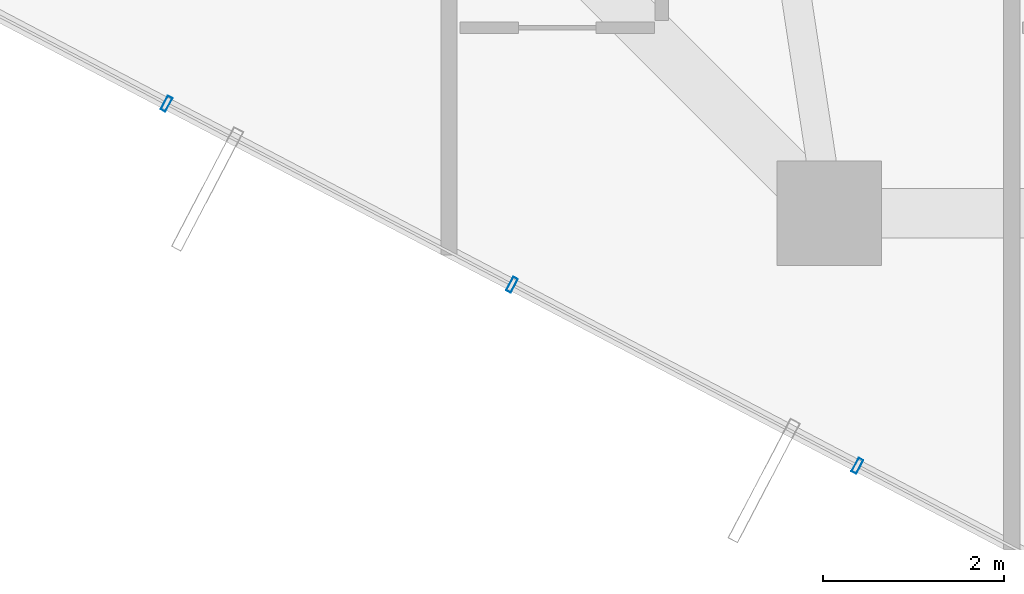
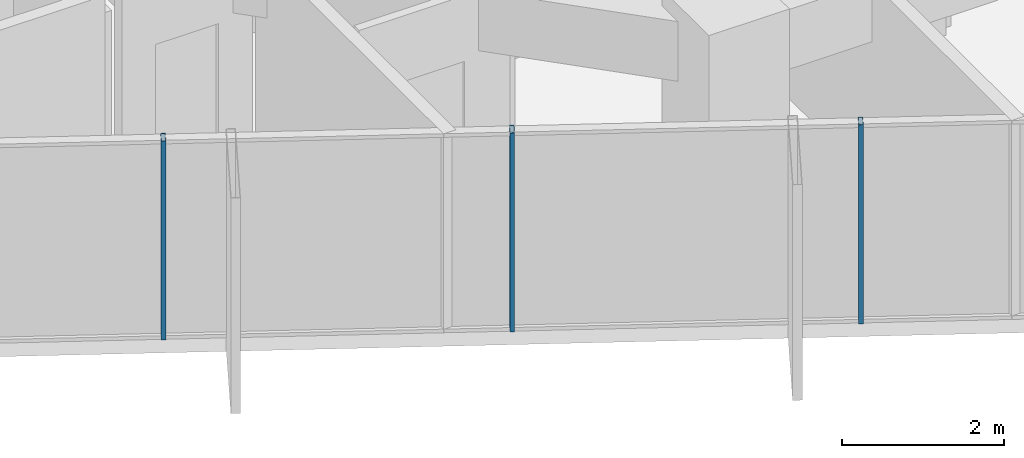
# One storey, part 2 of 32: 3 members, 1 element without a shape of its own.
"""IFC4 building model written with IfcOpenShell, lengths in metres."""

import ifcopenshell
import ifcopenshell.guid

model = None  # the IFC model being written
_history = None  # IfcOwnerHistory: only IFC2X3 demands one
_inside = {}  # id of a spatial element -> (the spatial element, [elements in it])
_under = {}  # id of a project, library or spatial element -> (it, [spatial elements below it])
_declared = {}  # id of a project -> (the project, [libraries it declares])
_typed = {}  # id of a type object -> (the type object, [elements of that type])
_made_of = {}  # id of a material, layer set ... -> (it, [elements and type objects made of it])


def new_model(schema):
    """Start an empty IFC model of exactly this schema.

    Asked for "IFC4X3", IfcOpenShell would pick the latest addendum, in which some entities
    have other attributes; the version numbers below select the first issue.
    IFC2X3 requires an IfcOwnerHistory on every rooted entity: one is made here for all.
    """
    global model, _history
    if schema == "IFC4X3":
        model = ifcopenshell.file(schema_version=(4, 3, 0, 0))
    else:
        model = ifcopenshell.file(schema=schema)
    _inside.clear()
    _under.clear()
    _declared.clear()
    _typed.clear()
    _made_of.clear()
    _history = None
    if model.schema == "IFC2X3":
        org = make("IfcOrganization", Name="unknown")
        user = make(
            "IfcPersonAndOrganization",
            ThePerson=make("IfcPerson", FamilyName="unknown"),
            TheOrganization=org,
        )
        app = make(
            "IfcApplication",
            ApplicationDeveloper=org,
            Version="unknown",
            ApplicationFullName="unknown",
            ApplicationIdentifier="unknown",
        )
        _history = make(
            "IfcOwnerHistory",
            OwningUser=user,
            OwningApplication=app,
            ChangeAction="ADDED",
            CreationDate=0,
        )
    return model


def make(cls, **values):
    """One entity of the class cls with the attributes given. An attribute that is None is left unset."""
    return model.create_entity(
        cls, **{name: value for name, value in values.items() if value is not None}
    )


def rooted(cls, **values):
    """An entity with a GlobalId (a new one), such as an element, a storey or a relation."""
    return make(cls, GlobalId=ifcopenshell.guid.new(), OwnerHistory=_history, **values)


def si_unit(unit_type, name, prefix=None):
    """IfcSIUnit, for example si_unit("LENGTHUNIT", "METRE", prefix="MILLI")."""
    return make("IfcSIUnit", UnitType=unit_type, Prefix=prefix, Name=name)


def assignment(units):
    """IfcUnitAssignment: the units of a project."""
    return None if units is None else make("IfcUnitAssignment", Units=units)


def point(xyz):
    """IfcCartesianPoint."""
    return None if xyz is None else make("IfcCartesianPoint", Coordinates=xyz)


def direction(xyz):
    """IfcDirection."""
    return None if xyz is None else make("IfcDirection", DirectionRatios=xyz)


def frame(location, z_axis=None, x_axis=None):
    """IfcAxis2Placement3D, a coordinate frame: its origin and axes. An axis left out is left unset."""
    return make(
        "IfcAxis2Placement3D",
        Location=point(location),
        Axis=direction(z_axis),
        RefDirection=direction(x_axis),
    )


def frame_2d(location, x_axis=None):
    """IfcAxis2Placement2D, a coordinate frame in the plane: its origin and x axis."""
    return make(
        "IfcAxis2Placement2D", Location=point(location), RefDirection=direction(x_axis)
    )


def origin():
    """The frame at (0, 0, 0) with its axes left unset."""
    return frame((0.0, 0.0, 0.0))


def origin_2d():
    """The frame at (0, 0) in the plane with its x axis left unset."""
    return frame_2d((0.0, 0.0))


def place(relative_to, where):
    """IfcLocalPlacement: puts the frame where relative to a parent placement (None: the world)."""
    return make(
        "IfcLocalPlacement", PlacementRelTo=relative_to, RelativePlacement=where
    )


def context(
    kind, dimensions, precision=None, world=None, true_north=None, identifier=None
):
    """IfcGeometricRepresentationContext, for example the 3D "Model" context."""
    return make(
        "IfcGeometricRepresentationContext",
        ContextIdentifier=identifier,
        ContextType=kind,
        CoordinateSpaceDimension=dimensions,
        Precision=precision,
        WorldCoordinateSystem=world,
        TrueNorth=true_north,
    )


def subcontext(parent, identifier, kind, view, scale=None):
    """IfcGeometricRepresentationSubContext, for example "Body" below "Model"."""
    return make(
        "IfcGeometricRepresentationSubContext",
        ContextIdentifier=identifier,
        ContextType=kind,
        ParentContext=parent,
        TargetScale=scale,
        TargetView=view,
    )


def project(units=None, contexts=None):
    """IfcProject with its units and contexts."""
    return rooted(
        "IfcProject",
        Name="project",
        RepresentationContexts=contexts,
        UnitsInContext=assignment(units),
    )


def spatial(cls, under=None, at=None, **own):
    """A site, building, storey or space (cls), placed at a placement, below another one or the project."""
    s = rooted(cls, ObjectPlacement=at, **own)
    if under is not None:
        _under.setdefault(under.id(), (under, []))[1].append(s)
    return s


def profile(cls, at=None, kind="AREA", **sizes):
    """A parametric profile (cls). Its sizes go by their IFC names, for example OverallWidth=200.0."""
    return make(cls, ProfileType=kind, Position=at, **sizes)


def hollow_rectangle(**sizes):
    """IfcRectangleHollowProfileDef."""
    return profile("IfcRectangleHollowProfileDef", **sizes)


def extrude(swept, where, along, depth):
    """IfcExtrudedAreaSolid: the profile swept, set in the frame where, extruded along a direction by depth."""
    return make(
        "IfcExtrudedAreaSolid",
        SweptArea=swept,
        Position=where,
        ExtrudedDirection=direction(along),
        Depth=depth,
    )


def shape(context_of_items, identifier, shape_type, items):
    """IfcShapeRepresentation: the items that make up one representation, for example the "Body"."""
    return make(
        "IfcShapeRepresentation",
        ContextOfItems=context_of_items,
        RepresentationIdentifier=identifier,
        RepresentationType=shape_type,
        Items=items,
    )


def source(mapping_origin, context_of_items, identifier, shape_type, items):
    """IfcRepresentationMap: a shape defined once, which mapped items show again and again."""
    return make(
        "IfcRepresentationMap",
        MappingOrigin=mapping_origin,
        MappedRepresentation=shape(context_of_items, identifier, shape_type, items),
    )


def transform(
    local_origin,
    x_axis=None,
    y_axis=None,
    z_axis=None,
    scale=None,
    scale2=None,
    scale3=None,
    uniform=True,
):
    """IfcCartesianTransformationOperator3D, or its non-uniform kind. x_axis, y_axis, z_axis: its Axis1, 2, 3."""
    if uniform:
        return make(
            "IfcCartesianTransformationOperator3D",
            Axis1=direction(x_axis),
            Axis2=direction(y_axis),
            LocalOrigin=point(local_origin),
            Scale=scale,
            Axis3=direction(z_axis),
        )
    return make(
        "IfcCartesianTransformationOperator3DnonUniform",
        Axis1=direction(x_axis),
        Axis2=direction(y_axis),
        LocalOrigin=point(local_origin),
        Scale=scale,
        Axis3=direction(z_axis),
        Scale2=scale2,
        Scale3=scale3,
    )


def mapped(mapping_source, mapping_target):
    """IfcMappedItem: shows the shape of a source again, moved by a transform."""
    return make(
        "IfcMappedItem", MappingSource=mapping_source, MappingTarget=mapping_target
    )


def material(Name=None, Category=None):
    """IfcMaterial."""
    return make("IfcMaterial", Name=Name, Category=Category)


def layer(
    of_material, thickness, ventilated=None, Name=None, Category=None, Priority=None
):
    """IfcMaterialLayer: one layer of a wall or slab, of a material (None: an air gap)."""
    return make(
        "IfcMaterialLayer",
        Material=of_material,
        LayerThickness=thickness,
        IsVentilated=ventilated,
        Name=Name,
        Category=Category,
        Priority=Priority,
    )


def layer_set(layers, Name=None):
    """IfcMaterialLayerSet."""
    return make("IfcMaterialLayerSet", MaterialLayers=layers, LayerSetName=Name)


def material_profile(
    of_material, cross_section, Name=None, Category=None, Priority=None
):
    """IfcMaterialProfile: a cross section and its material."""
    return make(
        "IfcMaterialProfile",
        Name=Name,
        Material=of_material,
        Profile=cross_section,
        Priority=Priority,
        Category=Category,
    )


def profile_set(profiles, Name=None, composite=None):
    """IfcMaterialProfileSet."""
    return make(
        "IfcMaterialProfileSet",
        Name=Name,
        MaterialProfiles=profiles,
        CompositeProfile=composite,
    )


def made_of(thing, what):
    """Note that an element or type object is made of a material, layer set ...; save() writes the relation."""
    if what is not None:
        _made_of.setdefault(what.id(), (what, []))[1].append(thing)
    return thing


def type_object(cls, material=None, **own):
    """A type object (cls), such as IfcWallType, which elements share."""
    return made_of(rooted(cls, **own), material)


def element(
    cls,
    number,
    at=None,
    inside=None,
    cuts=None,
    type_object=None,
    material=None,
    context=None,
    identifier="Body",
    shape_type=None,
    held_by="IfcProductDefinitionShape",
    body=None,
    shapes=None,
    **own,
):
    """One element of the class cls, such as IfcWall. Its Tag is "e" and its number.

    at: its placement. inside: the storey or other place that contains it. cuts: it is an
    opening in that element (IfcRelVoidsElement). A single representation is given by context,
    identifier, shape_type and body (its items); several are given by shapes. held_by: the class
    of the entity that holds the representations. save() writes the other relations.
    """
    e = rooted(cls, Tag="e%d" % number, ObjectPlacement=at, **own)
    if body is not None:
        shapes = [shape(context, identifier, shape_type, body)]
    if shapes is not None:
        e.Representation = make(held_by, Representations=shapes)
    if inside is not None:
        _inside.setdefault(inside.id(), (inside, []))[1].append(e)
    if cuts is not None:
        rooted(
            "IfcRelVoidsElement", RelatingBuildingElement=cuts, RelatedOpeningElement=e
        )
    if type_object is not None:
        _typed.setdefault(type_object.id(), (type_object, []))[1].append(e)
    return made_of(e, material)


def aggregate(whole, parts):
    """IfcRelAggregates: a whole, such as a stair, and the parts it consists of."""
    return rooted("IfcRelAggregates", RelatingObject=whole, RelatedObjects=parts)


def save(model, path):
    """Write the relations noted so far, then the file.

    IfcRelAggregates (storeys below a building ...), IfcRelContainedInSpatialStructure (elements
    in a storey), IfcRelDefinesByType, IfcRelAssociatesMaterial and IfcRelDeclares: one each for
    every whole, place, type object, material and project.
    """
    for whole, parts in _under.values():
        aggregate(whole, parts)
    for where, things in _inside.values():
        rooted(
            "IfcRelContainedInSpatialStructure",
            RelatedElements=things,
            RelatingStructure=where,
        )
    for kind, things in _typed.values():
        rooted("IfcRelDefinesByType", RelatedObjects=things, RelatingType=kind)
    for what, things in _made_of.values():
        rooted("IfcRelAssociatesMaterial", RelatedObjects=things, RelatingMaterial=what)
    for by, libraries in _declared.values():
        rooted("IfcRelDeclares", RelatingContext=by, RelatedDefinitions=libraries)
    model.write(path)


model = new_model("IFC4")

# Units and contexts
model_context = context("Model", 3, precision=1e-05, world=origin(), true_north=direction((0.0, 1.0)))
body_context = subcontext(model_context, "Body", "Model", "MODEL_VIEW")
ifc_project = project(units=[si_unit("LENGTHUNIT", "METRE"), si_unit("AREAUNIT", "SQUARE_METRE"), si_unit("VOLUMEUNIT", "CUBIC_METRE"), si_unit("PLANEANGLEUNIT", "RADIAN"), si_unit("MASSUNIT", "GRAM", prefix="KILO")], contexts=[model_context])

# Site, building, storey
site_placement = place(None, origin())
site = spatial("IfcSite", under=ifc_project, at=site_placement, CompositionType="ELEMENT")
building_placement = place(site_placement, origin())
building = spatial("IfcBuilding", under=site, at=building_placement, Name="Veraguas Prism Commons", CompositionType="ELEMENT")
storey_placement = place(building_placement, frame((0.0, 0.0, 136.0)))
storey = spatial("IfcBuildingStorey", under=building, at=storey_placement, Name="L38", CompositionType="ELEMENT", Elevation=136.0)

# Curtain wall, members
ifc_material = material(Name="Anodised aluminium EN AW-6063 T6", Category="aluminium")
ifc_layer = layer(ifc_material, 0.169921875, Name="Unitised Flush Curtain Wall Zone 2", Category="aluminium")
ifc_layer_set = layer_set([ifc_layer], Name="Anodised aluminium EN AW-6063 T6")
curtain_wall_type = type_object("IfcCurtainWallType", Name="Unitised Flush Curtain Wall Zone 2", PredefinedType="NOTDEFINED", material=ifc_layer_set)
curtain_wall_placement = place(storey_placement, origin())
curtain_wall = element("IfcCurtainWall", 1, at=curtain_wall_placement, inside=storey, type_object=curtain_wall_type, Name="Tower Facade Curtain Wall L38-F4", PredefinedType="NOTDEFINED")
ifc_material_profile = material_profile(ifc_material, hollow_rectangle(XDim=0.06005859375, YDim=0.169921875, WallThickness=0.00390625, at=origin_2d()), Name="AL60X170X4")
ifc_profile_set = profile_set([ifc_material_profile], Name="Anodised aluminium EN AW-6063 T6")
member_type = type_object("IfcMemberType", Name="Curtain Wall Mullion Lower AL 60x170x4", PredefinedType="MULLION", material=ifc_profile_set)
shared_shape = source(origin(), body_context, "Body", "SweptSolid", [
    extrude(hollow_rectangle(XDim=0.06005859375, YDim=0.169921875, WallThickness=0.00390625, at=origin_2d()), origin(), (0.0, 0.0, 1.0), 3.0),
])
member_1_placement = place(storey_placement, frame((11.27880859375, 9.009765625, 0.0), z_axis=(0.0, 0.0, 1.0), x_axis=(0.885721982014, -0.464216081773, 0.0)))
member_1 = element("IfcMember", 2, at=member_1_placement, type_object=member_type, Name="CW-Z2 Mullion 2", PredefinedType="MULLION", context=body_context, shape_type="MappedRepresentation", body=[
    mapped(shared_shape, transform((0.0, 0.0, 0.0), scale=1.0)),
])
member_2_placement = place(storey_placement, frame((15.094970703125, 7.009765625, 0.0), z_axis=(0.0, 0.0, 1.0), x_axis=(0.885721982014, -0.464216081773, 0.0)))
member_2 = element("IfcMember", 3, at=member_2_placement, type_object=member_type, Name="CW-Z2 Mullion 3", PredefinedType="MULLION", context=body_context, shape_type="MappedRepresentation", body=[
    mapped(shared_shape, transform((0.0, 0.0, 0.0), scale=1.0)),
])
member_3_placement = place(storey_placement, frame((18.911376953125, 5.009521484375, 0.0), z_axis=(0.0, 0.0, 1.0), x_axis=(0.885721982014, -0.464216081773, 0.0)))
member_3 = element("IfcMember", 4, at=member_3_placement, type_object=member_type, Name="CW-Z2 Mullion 4", PredefinedType="MULLION", context=body_context, shape_type="MappedRepresentation", body=[
    mapped(shared_shape, transform((0.0, 0.0, 0.0), scale=1.0)),
])
aggregate(curtain_wall, [member_1, member_2, member_3])

save(model, "model.ifc")
